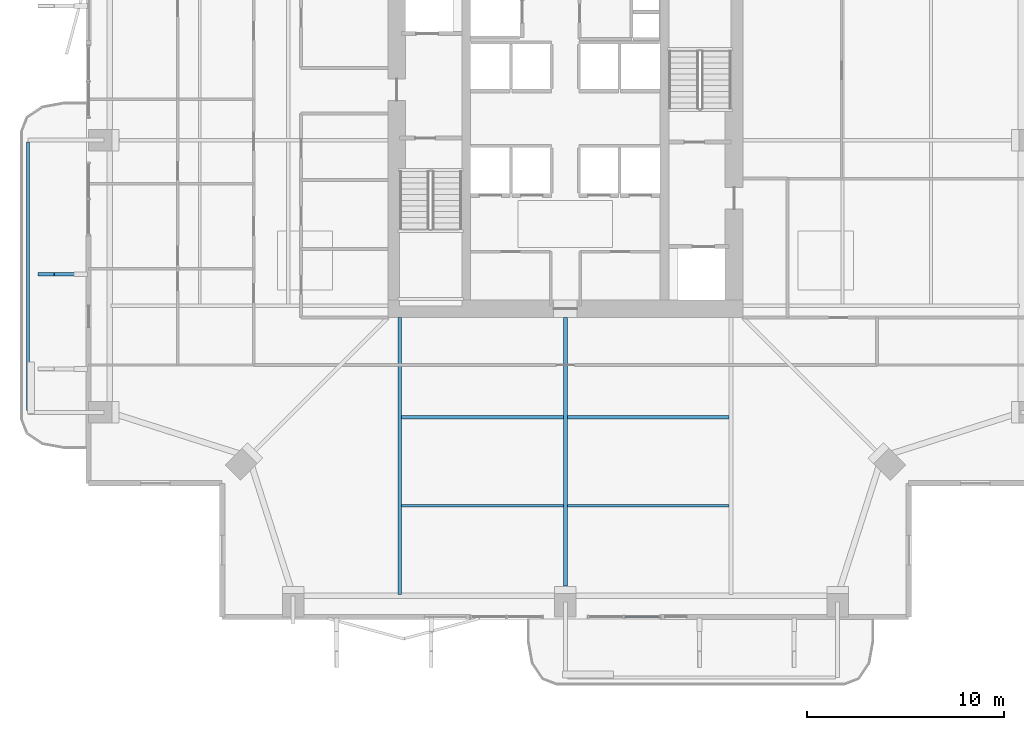
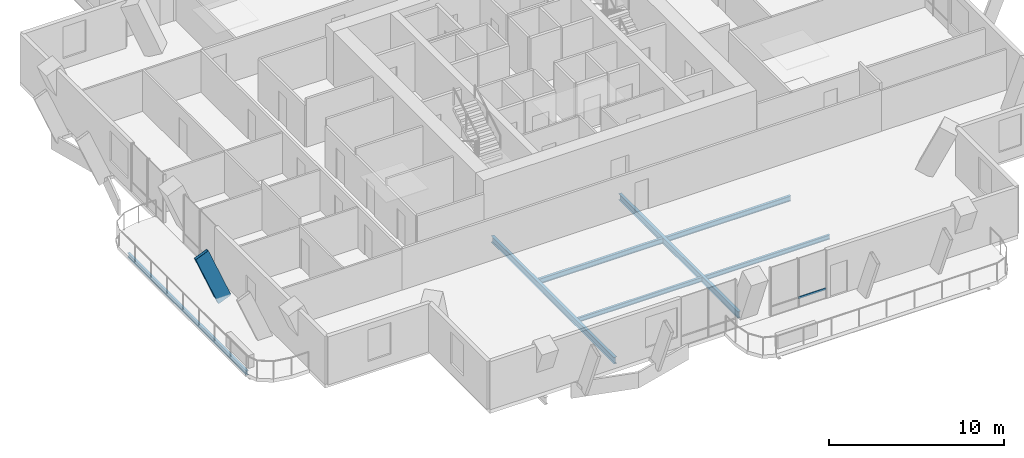
# One storey, part 3 of 24: 7 beams, 2 members, 1 element without a shape of its own.
"""IFC4 building model written with IfcOpenShell, lengths in metres."""

from ifc_helpers import new_model, si_unit, direction, frame, origin, origin_2d, place, context, subcontext, project, spatial, hollow_rectangle, i_section, extrude, material, layer, layer_set, material_profile, profile_set, type_object, element, aggregate, save


model = new_model("IFC4")

# Units and contexts
model_context = context("Model", 3, precision=1e-05, world=origin(), true_north=direction((0.0, 1.0)))
body_context = subcontext(model_context, "Body", "Model", "MODEL_VIEW")
ifc_project = project(units=[si_unit("LENGTHUNIT", "METRE"), si_unit("AREAUNIT", "SQUARE_METRE"), si_unit("VOLUMEUNIT", "CUBIC_METRE"), si_unit("PLANEANGLEUNIT", "RADIAN"), si_unit("MASSUNIT", "GRAM", prefix="KILO")], contexts=[model_context])

# Site, building, storey
site_placement = place(None, origin())
site = spatial("IfcSite", under=ifc_project, at=site_placement, CompositionType="ELEMENT")
building_placement = place(site_placement, origin())
building = spatial("IfcBuilding", under=site, at=building_placement, Name="Belovzor Exchange Tower", CompositionType="ELEMENT")
storey_placement = place(building_placement, frame((0.0, 0.0, 190.800048828125)))
storey = spatial("IfcBuildingStorey", under=building, at=storey_placement, Name="L47", CompositionType="ELEMENT", Elevation=190.800048828125)

# Beams
ifc_material_1 = material(Name="Steel S355", Category="steel")
ifc_material_profile_1 = material_profile(ifc_material_1, i_section(OverallWidth=0.14990234375, OverallDepth=0.300048828125, WebThickness=0.007080078125, FlangeThickness=0.0107421875, at=origin_2d()))
ifc_profile_set_1 = profile_set([ifc_material_profile_1], Name="Steel S355")
beam_type_1 = type_object("IfcBeamType", Name="Planted Balcony Fascia Edge Beam IPE 300", PredefinedType="BEAM", material=ifc_profile_set_1)
beam_1_placement = place(storey_placement, frame((1.547119140625, 28.699951171875, -0.405029296875), z_axis=(0.0, -1.0, 0.0), x_axis=(1.0, 0.0, 0.0)))
element("IfcBeam", 1, at=beam_1_placement, inside=storey, type_object=beam_type_1, Name="BC-300 Planted Balcony Fascia Edge Beam IPE 300", PredefinedType="BEAM", context=body_context, shape_type="SweptSolid", body=[
    extrude(i_section(OverallWidth=0.14990234375, OverallDepth=0.300048828125, WebThickness=0.007080078125, FlangeThickness=0.0107421875, at=origin_2d()), origin(), (0.0, 0.0, 1.0), 13.599853515625),
])
ifc_material_2 = material(Name="Steel S355", Category="steel")
ifc_material_profile_2 = material_profile(ifc_material_2, i_section(OverallWidth=0.169921875, OverallDepth=0.360107421875, WebThickness=0.008056640625, FlangeThickness=0.0126953125, at=origin_2d()))
ifc_profile_set_2 = profile_set([ifc_material_profile_2], Name="Steel S355")
beam_type_2 = type_object("IfcBeamType", Name="Secondary Infill Floor Joist IPE 360", PredefinedType="BEAM", material=ifc_profile_set_2)
for number, where, z_axis, x_axis, name in (
    (2, (20.4951171875, 14.7509765625, -0.43505859375), (1.0, 0.0, 0.0), (0.0, 1.0, 0.0), "FJ-360 Secondary Infill Floor Joist IPE 360"),
    (3, (28.89501953125, 14.7509765625, -0.43505859375), (1.0, 0.0, 0.0), (0.0, 1.0, 0.0), "FJ-360 Secondary Infill Floor Joist IPE 360"),
):
    element("IfcBeam", number, at=place(storey_placement, frame(where, z_axis=z_axis, x_axis=x_axis)), inside=storey, type_object=beam_type_2, Name=name, PredefinedType="BEAM", context=body_context, shape_type="SweptSolid", body=[
        extrude(i_section(OverallWidth=0.169921875, OverallDepth=0.360107421875, WebThickness=0.008056640625, FlangeThickness=0.0126953125, at=origin_2d()), origin(), (0.0, 0.0, 1.0), 8.2099609375),
    ])
ifc_material_3 = material(Name="Steel S355", Category="steel")
ifc_material_profile_3 = material_profile(ifc_material_3, i_section(OverallWidth=0.14990234375, OverallDepth=0.300048828125, WebThickness=0.007080078125, FlangeThickness=0.0107421875, at=origin_2d()))
ifc_profile_set_3 = profile_set([ifc_material_profile_3], Name="Steel S355")
beam_type_3 = type_object("IfcBeamType", Name="Secondary Trim Floor Joist IPE 300", PredefinedType="BEAM", material=ifc_profile_set_3)
for number, where, z_axis, x_axis, name in (
    (4, (20.4951171875, 10.262939453125, -0.405029296875), (1.0, 0.0, 0.0), (0.0, 1.0, 0.0), "FJ-300 Secondary Trim Floor Joist IPE 300"),
    (5, (28.89501953125, 10.262939453125, -0.405029296875), (1.0, 0.0, 0.0), (0.0, 1.0, 0.0), "FJ-300 Secondary Trim Floor Joist IPE 300"),
):
    element("IfcBeam", number, at=place(storey_placement, frame(where, z_axis=z_axis, x_axis=x_axis)), inside=storey, type_object=beam_type_3, Name=name, PredefinedType="BEAM", context=body_context, shape_type="SweptSolid", body=[
        extrude(i_section(OverallWidth=0.14990234375, OverallDepth=0.300048828125, WebThickness=0.007080078125, FlangeThickness=0.0107421875, at=origin_2d()), origin(), (0.0, 0.0, 1.0), 8.2099609375),
    ])

# Member
ifc_material_4 = material(Name="Extruded Architectural Terracotta on Steel S355 Carrier", Category="masonry")
ifc_material_profile_4 = material_profile(ifc_material_4, hollow_rectangle(XDim=0.199951171875, YDim=0.89990234375, WallThickness=0.011962890625, at=origin_2d()))
ifc_profile_set_4 = profile_set([ifc_material_profile_4], Name="Extruded Architectural Terracotta on Steel S355 Carrier")
member_type_1 = type_object("IfcMemberType", Name="Sweeping Terracotta Baguette Fin Assembly 1250", PredefinedType="USERDEFINED", material=ifc_profile_set_4)
member_1_placement = place(storey_placement, frame((3.97509765625, 22.0, -0.255126953125), z_axis=(-0.384162484071, 0.0, 0.923265501268), x_axis=(0.0, -1.0, 0.0)))
element("IfcMember", 6, at=member_1_placement, inside=storey, type_object=member_type_1, Name="FIN-TC125 Terracotta Facade Fin L47 W2", ObjectType="FIN", PredefinedType="USERDEFINED", context=body_context, shape_type="SweptSolid", body=[
    extrude(hollow_rectangle(XDim=0.199951171875, YDim=0.89990234375, WallThickness=0.011962890625, at=origin_2d()), origin(), (0.0, 0.0, 1.0), 3.904541015625),
])

# Curtain wall, member
ifc_material_5 = material(Name="Anodised Aluminium Framing", Category="aluminium")
ifc_layer = layer(ifc_material_5, 0.179931640625)
ifc_layer_set = layer_set([ifc_layer], Name="Anodised Aluminium Framing")
curtain_wall_type = type_object("IfcCurtainWallType", Name="Recessed Loggia Low-Iron Triple-Glazed Curtain Wall", PredefinedType="NOTDEFINED", material=ifc_layer_set)
curtain_wall_placement = place(storey_placement, origin())
curtain_wall = element("IfcCurtainWall", 7, at=curtain_wall_placement, inside=storey, type_object=curtain_wall_type, Name="CW3 Recessed Loggia Low-Iron Triple-Glazed Curtain Wall L47", PredefinedType="NOTDEFINED")
ifc_material_6 = material(Name="Steel S355", Category="steel")
ifc_material_profile_5 = material_profile(ifc_material_6, hollow_rectangle(XDim=0.06005859375, YDim=0.14990234375, WallThickness=0.00390625, at=origin_2d()))
ifc_profile_set_5 = profile_set([ifc_material_profile_5], Name="Steel S355")
member_type_2 = type_object("IfcMemberType", Name="Thermally Broken Curtain Wall Transom 150x60", PredefinedType="USERDEFINED", material=ifc_profile_set_5)
member_2_placement = place(storey_placement, frame((33.592041015625, 4.6298828125, 0.60302734375), z_axis=(-1.0, 0.0, 0.0), x_axis=(0.0, -1.0, 0.0)))
member_2 = element("IfcMember", 8, at=member_2_placement, type_object=member_type_2, Name="CW-T150 Curtain Wall Transom 1", ObjectType="TRANSOM", PredefinedType="USERDEFINED", context=body_context, shape_type="SweptSolid", body=[
    extrude(hollow_rectangle(XDim=0.06005859375, YDim=0.14990234375, WallThickness=0.00390625, at=origin_2d()), origin(), (0.0, 0.0, 1.0), 1.80908203125),
])
aggregate(curtain_wall, [member_2])

# Beams
ifc_material_7 = material(Name="Steel S355", Category="steel")
ifc_material_profile_6 = material_profile(ifc_material_7, i_section(OverallWidth=0.18994140625, OverallDepth=0.449951171875, WebThickness=0.009521484375, FlangeThickness=0.0146484375, at=origin_2d()))
ifc_profile_set_6 = profile_set([ifc_material_profile_6], Name="Steel S355")
beam_type_4 = type_object("IfcBeamType", Name="Zone 2-4 Radial Composite Floor Beam IPE 450", PredefinedType="BEAM", material=ifc_profile_set_6)
beam_2_placement = place(storey_placement, frame((20.39990234375, 19.800048828125, -0.47998046875), z_axis=(0.0, -1.0, 0.0), x_axis=(1.0, 0.0, 0.0)))
element("IfcBeam", 9, at=beam_2_placement, inside=storey, type_object=beam_type_4, Name="FB-450 Zone 2-4 Radial Composite Floor Beam IPE 450", PredefinedType="BEAM", context=body_context, shape_type="SweptSolid", body=[
    extrude(i_section(OverallWidth=0.18994140625, OverallDepth=0.449951171875, WebThickness=0.009521484375, FlangeThickness=0.0146484375, at=origin_2d()), origin(), (0.0, 0.0, 1.0), 14.025146484375),
])
beam_3_placement = place(storey_placement, frame((28.800048828125, 19.800048828125, -0.47998046875), z_axis=(0.0, -1.0, 0.0), x_axis=(1.0, 0.0, 0.0)))
element("IfcBeam", 10, at=beam_3_placement, inside=storey, type_object=beam_type_4, Name="FB-450 Zone 2-4 Radial Composite Floor Beam IPE 450", PredefinedType="BEAM", context=body_context, shape_type="SweptSolid", body=[
    extrude(i_section(OverallWidth=0.18994140625, OverallDepth=0.449951171875, WebThickness=0.009521484375, FlangeThickness=0.0146484375, at=origin_2d()), origin(), (0.0, 0.0, 1.0), 13.615966796875),
])

save(model, "model.ifc")
